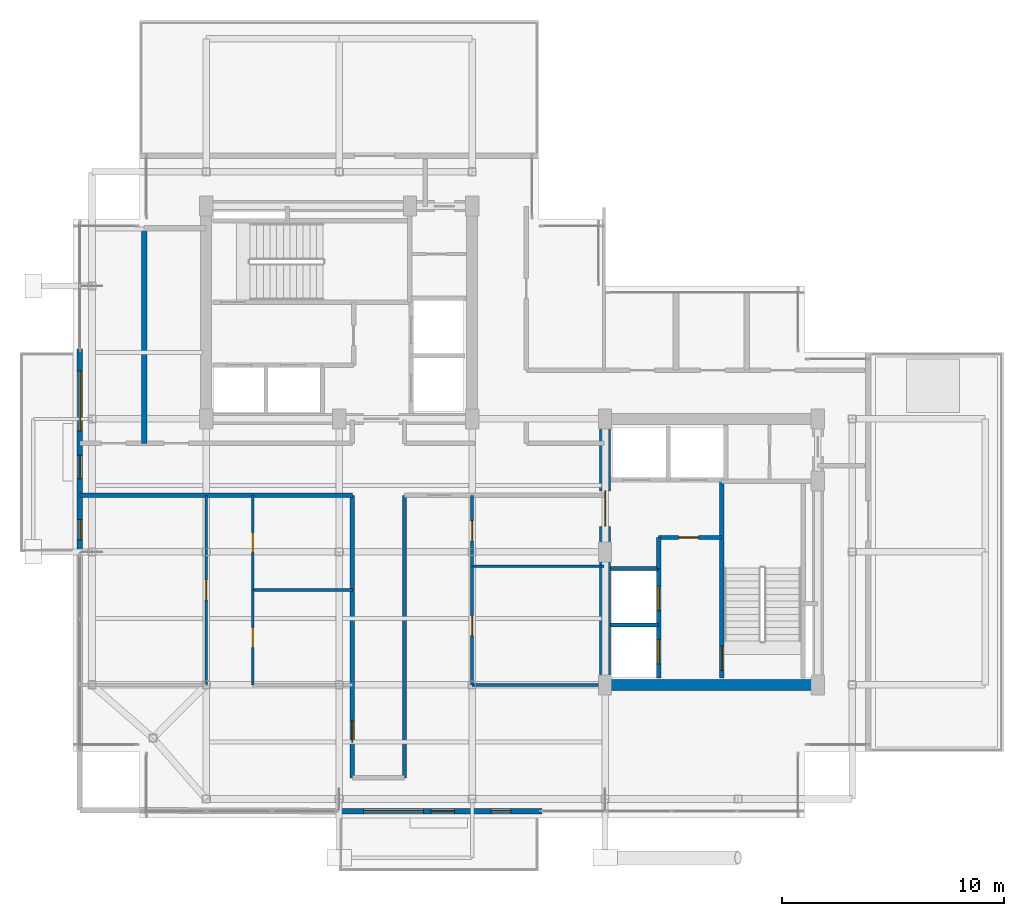
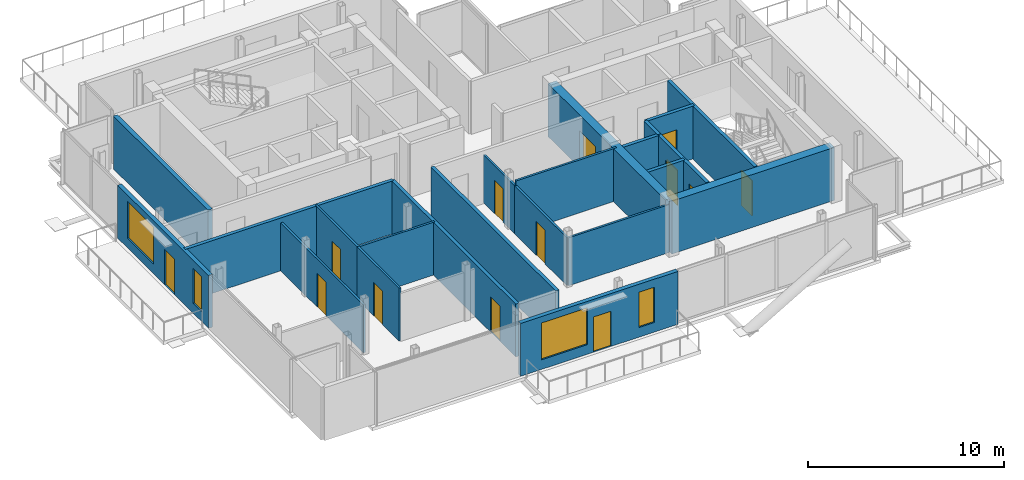
# One storey, part 14 of 19: 22 walls, 13 doors, 4 windows, 17 openings.
"""IFC4 building model written with IfcOpenShell, lengths in metres."""

from ifc_helpers import new_model, si_unit, direction, frame, frame_2d, origin, place, context, subcontext, project, spatial, rectangle, extrude, material, layer, layer_set, type_object, element, fill, save


model = new_model("IFC4")

# Units and contexts
model_context = context("Model", 3, precision=1e-05, world=origin(), true_north=direction((0.0, 1.0)))
body_context = subcontext(model_context, "Body", "Model", "MODEL_VIEW")
ifc_project = project(units=[si_unit("LENGTHUNIT", "METRE"), si_unit("AREAUNIT", "SQUARE_METRE"), si_unit("VOLUMEUNIT", "CUBIC_METRE"), si_unit("PLANEANGLEUNIT", "RADIAN"), si_unit("MASSUNIT", "GRAM", prefix="KILO"), si_unit("THERMODYNAMICTEMPERATUREUNIT", "KELVIN"), si_unit("POWERUNIT", "WATT")], contexts=[model_context])

# Site, building, storey
site_placement = place(None, origin())
site = spatial("IfcSite", under=ifc_project, at=site_placement, CompositionType="ELEMENT")
building_placement = place(site_placement, origin())
building = spatial("IfcBuilding", under=site, at=building_placement, Name="Svarakhadi Broadcast Tower", CompositionType="ELEMENT")
storey_placement = place(building_placement, frame((0.0, 0.0, 239.699951171875)))
storey = spatial("IfcBuildingStorey", under=building, at=storey_placement, Name="L59", CompositionType="ELEMENT", Elevation=239.699951171875)

# Wall, opening, door
ifc_material_1 = material(Name="Double-Stud Acoustic Studio Partition STC-62", Category="gypsum")
ifc_layer_1 = layer(ifc_material_1, 0.199951171875)
ifc_layer_set_1 = layer_set([ifc_layer_1], Name="Double-Stud Acoustic Studio Partition STC-62")
wall_type_1 = type_object("IfcWallType", Name="Wall_Acoust_200", PredefinedType="PARTITIONING", material=ifc_layer_set_1)
wall_1_placement = place(storey_placement, frame((12.60009765625, 1.800048828125, 0.0), z_axis=(0.0, 0.0, 1.0), x_axis=(0.0, 1.0, 0.0)))
wall_1 = element("IfcWall", 1, at=wall_1_placement, inside=storey, type_object=wall_type_1, Name="L59 Upper Tower Concourse Wall", PredefinedType="PARTITIONING", context=body_context, shape_type="SweptSolid", body=[
    extrude(rectangle(XDim=12.75, YDim=0.199951171875, at=frame_2d((6.375, 0.0))), origin(), (0.0, 0.0, 1.0), 3.300048828125),
])
opening_1_placement = place(wall_1_placement, frame((1.60009765625, 0.0, 0.0)))
opening_1 = element("IfcOpeningElement", 2, at=opening_1_placement, cuts=wall_1, Name="Opening D-08", PredefinedType="OPENING", context=body_context, shape_type="SweptSolid", body=[
    extrude(rectangle(XDim=1.0, YDim=2.199951171875, at=frame_2d((0.5, 1.10009765625))), frame((0.0, 0.10986328125, 0.0), z_axis=(0.0, -1.0, 0.0), x_axis=(1.0, 0.0, 0.0)), (0.0, 0.0, 1.0), 0.219970703125),
])
ifc_material_2 = material(Name="Solid-Core Teak Veneer Acoustic Timber Leaf", Category="wood")
door_type_1 = type_object("IfcDoorType", Name="Door_Suite_D08", OperationType="SINGLE_SWING_LEFT", PredefinedType="DOOR", material=ifc_material_2)
door_1_placement = place(opening_1_placement, origin())
door_1 = element("IfcDoor", 3, at=door_1_placement, inside=storey, type_object=door_type_1, Name="L59 Apartment A Entrance Door", OperationType="SINGLE_SWING_LEFT", OverallHeight=2.199951171875, OverallWidth=1.0, PredefinedType="DOOR", context=body_context, shape_type="SweptSolid", body=[
    extrude(rectangle(XDim=1.0, YDim=2.199951171875, at=frame_2d((0.5, 1.10009765625))), frame((0.0, 0.02490234375, 0.0), z_axis=(0.0, -1.0, 0.0), x_axis=(1.0, 0.0, 0.0)), (0.0, 0.0, 1.0), 0.050048828125),
])
fill(opening_1, door_1)

# Walls
wall_2_placement = place(storey_placement, frame((12.60009765625, 14.550048828125, 0.0), z_axis=(0.0, 0.0, 1.0), x_axis=(-1.0, 0.0, 0.0)))
element("IfcWall", 4, at=wall_2_placement, inside=storey, type_object=wall_type_1, Name="L59 Upper Tower Concourse Wall", PredefinedType="PARTITIONING", context=body_context, shape_type="SweptSolid", body=[
    extrude(rectangle(XDim=12.300048828125, YDim=0.199951171875, at=frame_2d((6.14990234375, 0.0))), origin(), (0.0, 0.0, 1.0), 3.300048828125),
])
wall_3_placement = place(storey_placement, frame((14.949951171875, 14.550048828125, 0.0), z_axis=(0.0, 0.0, 1.0), x_axis=(0.0, -1.0, 0.0)))
element("IfcWall", 5, at=wall_3_placement, inside=storey, type_object=wall_type_1, Name="L59 Upper Tower Concourse Wall", PredefinedType="PARTITIONING", context=body_context, shape_type="SweptSolid", body=[
    extrude(rectangle(XDim=12.75, YDim=0.199951171875, at=frame_2d((6.375, 0.0))), origin(), (0.0, 0.0, 1.0), 3.300048828125),
])
ifc_layer_2 = layer(ifc_material_1, 0.25)
ifc_layer_set_2 = layer_set([ifc_layer_2], Name="Double-Stud Acoustic Studio Partition STC-62")
wall_type_2 = type_object("IfcWallType", Name="Wall_Acoust_250", PredefinedType="PARTITIONING", material=ifc_layer_set_2)
wall_4_placement = place(storey_placement, frame((3.199951171875, 16.89990234375, 0.0), z_axis=(0.0, 0.0, 1.0), x_axis=(0.0, 1.0, 0.0)))
element("IfcWall", 6, at=wall_4_placement, inside=storey, type_object=wall_type_2, Name="L59 Setback Garden Residents Lounge Wall", PredefinedType="PARTITIONING", context=body_context, shape_type="SweptSolid", body=[
    extrude(rectangle(XDim=9.7001953125, YDim=0.25, at=frame_2d((4.85009765625, 0.0))), origin(), (0.0, 0.0, 1.0), 3.300048828125),
])

# Wall, openings, door, windows
ifc_material_3 = material(Name="Concrete C40/50 (IS 456 M50)", Category="concrete")
ifc_layer_3 = layer(ifc_material_3, 0.239990234375)
ifc_layer_set_3 = layer_set([ifc_layer_3], Name="Concrete C40/50 (IS 456 M50)")
wall_type_3 = type_object("IfcWallType", Name="Wall_Ext_240", PredefinedType="SOLIDWALL", material=ifc_layer_set_3)
wall_5_placement = place(storey_placement, frame((21.14501953125, 0.300048828125, 0.0), z_axis=(0.0, 0.0, 1.0), x_axis=(-1.0, 0.0, 0.0)))
wall_5 = element("IfcWall", 7, at=wall_5_placement, inside=storey, type_object=wall_type_3, Name="L59 South Tree Balcony Spandrel Wall", PredefinedType="SOLIDWALL", context=body_context, shape_type="SweptSolid", body=[
    extrude(rectangle(XDim=9.2900390625, YDim=0.239990234375, at=frame_2d((4.64501953125, 0.0))), origin(), (0.0, 0.0, 1.0), 3.300048828125),
])
opening_2_placement = place(wall_5_placement, frame((3.945068359375, 0.0, 0.0)))
opening_2 = element("IfcOpeningElement", 8, at=opening_2_placement, cuts=wall_5, Name="Opening ED-05", PredefinedType="OPENING", context=body_context, shape_type="SweptSolid", body=[
    extrude(rectangle(XDim=1.050048828125, YDim=2.199951171875, at=frame_2d((0.52490234375, 1.10009765625))), frame((0.0, 0.1298828125, 0.0), z_axis=(0.0, -1.0, 0.0), x_axis=(1.0, 0.0, 0.0)), (0.0, 0.0, 1.0), 0.260009765625),
])
opening_3_placement = place(wall_5_placement, frame((5.344970703125, 0.0, 0.60009765625)))
opening_3 = element("IfcOpeningElement", 9, at=opening_3_placement, cuts=wall_5, Name="Opening WN-07", PredefinedType="OPENING", context=body_context, shape_type="SweptSolid", body=[
    extrude(rectangle(XDim=2.699951171875, YDim=2.300048828125, at=frame_2d((1.35009765625, 1.14990234375))), frame((0.0, 0.1298828125, 0.0), z_axis=(0.0, -1.0, 0.0), x_axis=(1.0, 0.0, 0.0)), (0.0, 0.0, 1.0), 0.260009765625),
])
opening_4_placement = place(wall_5_placement, frame((1.39990234375, 0.0, 0.60009765625)))
opening_4 = element("IfcOpeningElement", 10, at=opening_4_placement, cuts=wall_5, Name="Opening WN-04", PredefinedType="OPENING", context=body_context, shape_type="SweptSolid", body=[
    extrude(rectangle(XDim=0.89990234375, YDim=2.199951171875, at=frame_2d((0.449951171875, 1.10009765625))), frame((0.0, 0.1298828125, 0.0), z_axis=(0.0, -1.0, 0.0), x_axis=(1.0, 0.0, 0.0)), (0.0, 0.0, 1.0), 0.260009765625),
])
ifc_material_4 = material(Name="Anodised Bronze Aluminium AA 6063-T6", Category="aluminium")
door_type_2 = type_object("IfcDoorType", Name="Door_Ext_ED05", OperationType="SINGLE_SWING_LEFT", PredefinedType="DOOR", material=ifc_material_4)
door_2_placement = place(opening_2_placement, origin())
door_2 = element("IfcDoor", 11, at=door_2_placement, inside=storey, type_object=door_type_2, Name="L59 South Tree Balcony Door", OperationType="SINGLE_SWING_LEFT", OverallHeight=2.199951171875, OverallWidth=1.050048828125, PredefinedType="DOOR", context=body_context, shape_type="SweptSolid", body=[
    extrude(rectangle(XDim=1.050048828125, YDim=2.199951171875, at=frame_2d((0.52490234375, 1.10009765625))), frame((0.0, 0.02490234375, 0.0), z_axis=(0.0, -1.0, 0.0), x_axis=(1.0, 0.0, 0.0)), (0.0, 0.0, 1.0), 0.050048828125),
])
fill(opening_2, door_2)
ifc_material_5 = material(Name="Double Low-E Laminated Acoustic Glass IGU 36 mm", Category="glass")
window_type_1 = type_object("IfcWindowType", Name="Win_Resi_WN07", PartitioningType="SINGLE_PANEL", PredefinedType="WINDOW", material=ifc_material_5)
window_1_placement = place(opening_3_placement, origin())
window_1 = element("IfcWindow", 12, at=window_1_placement, inside=storey, type_object=window_type_1, Name="L59 South Tree Balcony Window", OverallHeight=2.300048828125, OverallWidth=2.699951171875, PartitioningType="SINGLE_PANEL", PredefinedType="WINDOW", context=body_context, shape_type="SweptSolid", body=[
    extrude(rectangle(XDim=2.699951171875, YDim=2.300048828125, at=frame_2d((1.35009765625, 1.14990234375))), frame((0.0, 0.030029296875, 0.0), z_axis=(0.0, -1.0, 0.0), x_axis=(1.0, 0.0, 0.0)), (0.0, 0.0, 1.0), 0.06005859375),
])
fill(opening_3, window_1)
window_type_2 = type_object("IfcWindowType", Name="Win_Slot_WN04", PartitioningType="SINGLE_PANEL", PredefinedType="WINDOW", material=ifc_material_5)
window_2_placement = place(opening_4_placement, origin())
window_2 = element("IfcWindow", 13, at=window_2_placement, inside=storey, type_object=window_type_2, Name="L59 South Primary Bedroom Slot Window", OverallHeight=2.199951171875, OverallWidth=0.89990234375, PartitioningType="SINGLE_PANEL", PredefinedType="WINDOW", context=body_context, shape_type="SweptSolid", body=[
    extrude(rectangle(XDim=0.89990234375, YDim=2.199951171875, at=frame_2d((0.449951171875, 1.10009765625))), frame((0.0, 0.030029296875, 0.0), z_axis=(0.0, -1.0, 0.0), x_axis=(1.0, 0.0, 0.0)), (0.0, 0.0, 1.0), 0.06005859375),
])
fill(opening_4, window_2)

wall_6_placement = place(storey_placement, frame((0.300048828125, 11.85498046875, 0.0), z_axis=(0.0, 0.0, 1.0), x_axis=(0.0, 1.0, 0.0)))
wall_6 = element("IfcWall", 14, at=wall_6_placement, inside=storey, type_object=wall_type_3, Name="L59 West Tree Balcony Spandrel Wall", PredefinedType="SOLIDWALL", context=body_context, shape_type="SweptSolid", body=[
    extrude(rectangle(XDim=9.2900390625, YDim=0.239990234375, at=frame_2d((4.64501953125, 0.0))), origin(), (0.0, 0.0, 1.0), 3.300048828125),
])
opening_5_placement = place(wall_6_placement, frame((3.449951171875, 0.0, 0.0)))
opening_5 = element("IfcOpeningElement", 15, at=opening_5_placement, cuts=wall_6, Name="Opening ED-06", PredefinedType="OPENING", context=body_context, shape_type="SweptSolid", body=[
    extrude(rectangle(XDim=1.050048828125, YDim=2.199951171875, at=frame_2d((0.52490234375, 1.10009765625))), frame((0.0, 0.1298828125, 0.0), z_axis=(0.0, -1.0, 0.0), x_axis=(1.0, 0.0, 0.0)), (0.0, 0.0, 1.0), 0.260009765625),
])
opening_6_placement = place(wall_6_placement, frame((5.60009765625, 0.0, 0.60009765625)))
opening_6 = element("IfcOpeningElement", 16, at=opening_6_placement, cuts=wall_6, Name="Opening WN-07", PredefinedType="OPENING", context=body_context, shape_type="SweptSolid", body=[
    extrude(rectangle(XDim=2.699951171875, YDim=2.300048828125, at=frame_2d((1.35009765625, 1.14990234375))), frame((0.0, 0.1298828125, 0.0), z_axis=(0.0, -1.0, 0.0), x_axis=(1.0, 0.0, 0.0)), (0.0, 0.0, 1.0), 0.260009765625),
])
opening_7_placement = place(wall_6_placement, frame((0.699951171875, 0.0, 0.60009765625)))
opening_7 = element("IfcOpeningElement", 17, at=opening_7_placement, cuts=wall_6, Name="Opening WN-04", PredefinedType="OPENING", context=body_context, shape_type="SweptSolid", body=[
    extrude(rectangle(XDim=0.89990234375, YDim=2.199951171875, at=frame_2d((0.449951171875, 1.10009765625))), frame((0.0, 0.1298828125, 0.0), z_axis=(0.0, -1.0, 0.0), x_axis=(1.0, 0.0, 0.0)), (0.0, 0.0, 1.0), 0.260009765625),
])
door_type_3 = type_object("IfcDoorType", Name="Door_Ext_ED06", OperationType="SINGLE_SWING_RIGHT", PredefinedType="DOOR", material=ifc_material_4)
door_3_placement = place(opening_5_placement, origin())
door_3 = element("IfcDoor", 18, at=door_3_placement, inside=storey, type_object=door_type_3, Name="L59 West Tree Balcony Door", OperationType="SINGLE_SWING_RIGHT", OverallHeight=2.199951171875, OverallWidth=1.050048828125, PredefinedType="DOOR", context=body_context, shape_type="SweptSolid", body=[
    extrude(rectangle(XDim=1.050048828125, YDim=2.199951171875, at=frame_2d((0.52490234375, 1.10009765625))), frame((0.0, 0.02490234375, 0.0), z_axis=(0.0, -1.0, 0.0), x_axis=(1.0, 0.0, 0.0)), (0.0, 0.0, 1.0), 0.050048828125),
])
fill(opening_5, door_3)
window_3_placement = place(opening_6_placement, origin())
window_3 = element("IfcWindow", 19, at=window_3_placement, inside=storey, type_object=window_type_1, Name="L59 West Tree Balcony Window", OverallHeight=2.300048828125, OverallWidth=2.699951171875, PartitioningType="SINGLE_PANEL", PredefinedType="WINDOW", context=body_context, shape_type="SweptSolid", body=[
    extrude(rectangle(XDim=2.699951171875, YDim=2.300048828125, at=frame_2d((1.35009765625, 1.14990234375))), frame((0.0, 0.030029296875, 0.0), z_axis=(0.0, -1.0, 0.0), x_axis=(1.0, 0.0, 0.0)), (0.0, 0.0, 1.0), 0.06005859375),
])
fill(opening_6, window_3)
window_4_placement = place(opening_7_placement, origin())
window_4 = element("IfcWindow", 20, at=window_4_placement, inside=storey, type_object=window_type_2, Name="L59 West Secondary Bedroom Slot Window", OverallHeight=2.199951171875, OverallWidth=0.89990234375, PartitioningType="SINGLE_PANEL", PredefinedType="WINDOW", context=body_context, shape_type="SweptSolid", body=[
    extrude(rectangle(XDim=0.89990234375, YDim=2.199951171875, at=frame_2d((0.449951171875, 1.10009765625))), frame((0.0, 0.030029296875, 0.0), z_axis=(0.0, -1.0, 0.0), x_axis=(1.0, 0.0, 0.0)), (0.0, 0.0, 1.0), 0.06005859375),
])
fill(opening_7, window_4)

# Wall
ifc_material_6 = material(Name="Fire-Rated Moisture-Resistant Gypsum Board Partition", Category="gypsum")
ifc_layer_4 = layer(ifc_material_6, 0.125)
ifc_layer_set_4 = layer_set([ifc_layer_4], Name="Fire-Rated Moisture-Resistant Gypsum Board Partition")
wall_type_4 = type_object("IfcWallType", Name="Wall_Part_125", PredefinedType="PARTITIONING", material=ifc_layer_set_4)
wall_7_placement = place(storey_placement, frame((8.10009765625, 10.280029296875, 0.0), z_axis=(0.0, 0.0, 1.0), x_axis=(1.0, 0.0, 0.0)))
element("IfcWall", 21, at=wall_7_placement, inside=storey, type_object=wall_type_4, Name="L59 Apartment A Kitchen Wall", PredefinedType="PARTITIONING", context=body_context, shape_type="SweptSolid", body=[
    extrude(rectangle(XDim=4.5, YDim=0.125, at=frame_2d((2.25, 0.0))), origin(), (0.0, 0.0, 1.0), 3.300048828125),
])

# Wall, opening, door
wall_8_placement = place(storey_placement, frame((8.10009765625, 6.0, 0.0), z_axis=(0.0, 0.0, 1.0), x_axis=(0.0, 1.0, 0.0)))
wall_8 = element("IfcWall", 22, at=wall_8_placement, inside=storey, type_object=wall_type_4, Name="L59 Apartment A Kitchen Wall", PredefinedType="PARTITIONING", context=body_context, shape_type="SweptSolid", body=[
    extrude(rectangle(XDim=4.280029296875, YDim=0.125, at=frame_2d((2.14013671875, 0.0))), origin(), (0.0, 0.0, 1.0), 3.300048828125),
])
opening_8_placement = place(wall_8_placement, frame((1.68994140625, 0.0, 0.0)))
opening_8 = element("IfcOpeningElement", 23, at=opening_8_placement, cuts=wall_8, Name="Opening D-14", PredefinedType="OPENING", context=body_context, shape_type="SweptSolid", body=[
    extrude(rectangle(XDim=0.89990234375, YDim=2.10009765625, at=frame_2d((0.449951171875, 1.050048828125))), frame((0.0, 0.072509765625, 0.0), z_axis=(0.0, -1.0, 0.0), x_axis=(1.0, 0.0, 0.0)), (0.0, 0.0, 1.0), 0.14501953125),
])
door_type_4 = type_object("IfcDoorType", Name="Door_Int_D14", OperationType="SINGLE_SWING_LEFT", PredefinedType="DOOR", material=ifc_material_2)
door_4_placement = place(opening_8_placement, origin())
door_4 = element("IfcDoor", 24, at=door_4_placement, inside=storey, type_object=door_type_4, Name="L59 Apartment A Kitchen Door", OperationType="SINGLE_SWING_LEFT", OverallHeight=2.10009765625, OverallWidth=0.89990234375, PredefinedType="DOOR", context=body_context, shape_type="SweptSolid", body=[
    extrude(rectangle(XDim=0.89990234375, YDim=2.10009765625, at=frame_2d((0.449951171875, 1.050048828125))), frame((0.0, 0.02490234375, 0.0), z_axis=(0.0, -1.0, 0.0), x_axis=(1.0, 0.0, 0.0)), (0.0, 0.0, 1.0), 0.050048828125),
])
fill(opening_8, door_4)

wall_9_placement = place(storey_placement, frame((8.10009765625, 10.280029296875, 0.0), z_axis=(0.0, 0.0, 1.0), x_axis=(0.0, 1.0, 0.0)))
wall_9 = element("IfcWall", 25, at=wall_9_placement, inside=storey, type_object=wall_type_4, Name="L59 Apartment A Bathroom Wall", PredefinedType="PARTITIONING", context=body_context, shape_type="SweptSolid", body=[
    extrude(rectangle(XDim=4.27001953125, YDim=0.125, at=frame_2d((2.135009765625, 0.0))), origin(), (0.0, 0.0, 1.0), 3.300048828125),
])
opening_9_placement = place(wall_9_placement, frame((1.68505859375, 0.0, 0.0)))
opening_9 = element("IfcOpeningElement", 26, at=opening_9_placement, cuts=wall_9, Name="Opening D-13", PredefinedType="OPENING", context=body_context, shape_type="SweptSolid", body=[
    extrude(rectangle(XDim=0.89990234375, YDim=2.10009765625, at=frame_2d((0.449951171875, 1.050048828125))), frame((0.0, 0.072509765625, 0.0), z_axis=(0.0, -1.0, 0.0), x_axis=(1.0, 0.0, 0.0)), (0.0, 0.0, 1.0), 0.14501953125),
])
door_type_5 = type_object("IfcDoorType", Name="Door_Closet_D13", OperationType="SINGLE_SWING_RIGHT", PredefinedType="DOOR", material=ifc_material_2)
door_5_placement = place(opening_9_placement, origin())
door_5 = element("IfcDoor", 27, at=door_5_placement, inside=storey, type_object=door_type_5, Name="L59 Apartment A Bathroom Door", OperationType="SINGLE_SWING_RIGHT", OverallHeight=2.10009765625, OverallWidth=0.89990234375, PredefinedType="DOOR", context=body_context, shape_type="SweptSolid", body=[
    extrude(rectangle(XDim=0.89990234375, YDim=2.10009765625, at=frame_2d((0.449951171875, 1.050048828125))), frame((0.0, 0.02490234375, 0.0), z_axis=(0.0, -1.0, 0.0), x_axis=(1.0, 0.0, 0.0)), (0.0, 0.0, 1.0), 0.050048828125),
])
fill(opening_9, door_5)

wall_10_placement = place(storey_placement, frame((6.0, 6.0, 0.0), z_axis=(0.0, 0.0, 1.0), x_axis=(0.0, 1.0, 0.0)))
wall_10 = element("IfcWall", 28, at=wall_10_placement, inside=storey, type_object=wall_type_4, Name="L59 Apartment A Primary Bedroom Wall", PredefinedType="PARTITIONING", context=body_context, shape_type="SweptSolid", body=[
    extrude(rectangle(XDim=8.550048828125, YDim=0.125, at=frame_2d((4.27490234375, 0.0))), origin(), (0.0, 0.0, 1.0), 2.991943359375),
])
opening_10_placement = place(wall_10_placement, frame((3.824951171875, 0.0, 0.0)))
opening_10 = element("IfcOpeningElement", 29, at=opening_10_placement, cuts=wall_10, Name="Opening D-14", PredefinedType="OPENING", context=body_context, shape_type="SweptSolid", body=[
    extrude(rectangle(XDim=0.89990234375, YDim=2.10009765625, at=frame_2d((0.449951171875, 1.050048828125))), frame((0.0, 0.072509765625, 0.0), z_axis=(0.0, -1.0, 0.0), x_axis=(1.0, 0.0, 0.0)), (0.0, 0.0, 1.0), 0.14501953125),
])
door_6_placement = place(opening_10_placement, origin())
door_6 = element("IfcDoor", 30, at=door_6_placement, inside=storey, type_object=door_type_4, Name="L59 Apartment A Bedroom Door", OperationType="SINGLE_SWING_LEFT", OverallHeight=2.10009765625, OverallWidth=0.89990234375, PredefinedType="DOOR", context=body_context, shape_type="SweptSolid", body=[
    extrude(rectangle(XDim=0.89990234375, YDim=2.10009765625, at=frame_2d((0.449951171875, 1.050048828125))), frame((0.0, 0.02490234375, 0.0), z_axis=(0.0, -1.0, 0.0), x_axis=(1.0, 0.0, 0.0)), (0.0, 0.0, 1.0), 0.050048828125),
])
fill(opening_10, door_6)

# Walls
wall_11_placement = place(storey_placement, frame((18.0, 6.0, 0.0), z_axis=(0.0, 0.0, 1.0), x_axis=(1.0, 0.0, 0.0)))
element("IfcWall", 31, at=wall_11_placement, inside=storey, type_object=wall_type_4, Name="L59 Studio B Kitchen Wall", PredefinedType="PARTITIONING", context=body_context, shape_type="SweptSolid", body=[
    extrude(rectangle(XDim=5.949951171875, YDim=0.125, at=frame_2d((2.97509765625, 0.0))), origin(), (0.0, 0.0, 1.0), 2.991943359375),
])
wall_12_placement = place(storey_placement, frame((18.0, 11.35009765625, 0.0), z_axis=(0.0, 0.0, 1.0), x_axis=(1.0, 0.0, 0.0)))
element("IfcWall", 32, at=wall_12_placement, inside=storey, type_object=wall_type_4, Name="L59 Studio B Kitchen Wall", PredefinedType="PARTITIONING", context=body_context, shape_type="SweptSolid", body=[
    extrude(rectangle(XDim=5.949951171875, YDim=0.125, at=frame_2d((2.97509765625, 0.0))), origin(), (0.0, 0.0, 1.0), 3.300048828125),
])

# Wall, opening, door
wall_13_placement = place(storey_placement, frame((18.0, 6.0, 0.0), z_axis=(0.0, 0.0, 1.0), x_axis=(0.0, 1.0, 0.0)))
wall_13 = element("IfcWall", 33, at=wall_13_placement, inside=storey, type_object=wall_type_4, Name="L59 Studio B Kitchen Wall", PredefinedType="PARTITIONING", context=body_context, shape_type="SweptSolid", body=[
    extrude(rectangle(XDim=5.35009765625, YDim=0.125, at=frame_2d((2.675048828125, 0.0))), origin(), (0.0, 0.0, 1.0), 2.991943359375),
])
opening_11_placement = place(wall_13_placement, frame((2.22509765625, 0.0, 0.0)))
opening_11 = element("IfcOpeningElement", 34, at=opening_11_placement, cuts=wall_13, Name="Opening D-15", PredefinedType="OPENING", context=body_context, shape_type="SweptSolid", body=[
    extrude(rectangle(XDim=0.89990234375, YDim=2.10009765625, at=frame_2d((0.449951171875, 1.050048828125))), frame((0.0, 0.072509765625, 0.0), z_axis=(0.0, -1.0, 0.0), x_axis=(1.0, 0.0, 0.0)), (0.0, 0.0, 1.0), 0.14501953125),
])
door_type_6 = type_object("IfcDoorType", Name="Door_Int_D15", OperationType="SINGLE_SWING_RIGHT", PredefinedType="DOOR", material=ifc_material_2)
door_7_placement = place(opening_11_placement, origin())
door_7 = element("IfcDoor", 35, at=door_7_placement, inside=storey, type_object=door_type_6, Name="L59 Studio B Kitchen Door", OperationType="SINGLE_SWING_RIGHT", OverallHeight=2.10009765625, OverallWidth=0.89990234375, PredefinedType="DOOR", context=body_context, shape_type="SweptSolid", body=[
    extrude(rectangle(XDim=0.89990234375, YDim=2.10009765625, at=frame_2d((0.449951171875, 1.050048828125))), frame((0.0, 0.02490234375, 0.0), z_axis=(0.0, -1.0, 0.0), x_axis=(1.0, 0.0, 0.0)), (0.0, 0.0, 1.0), 0.050048828125),
])
fill(opening_11, door_7)

wall_14_placement = place(storey_placement, frame((18.0, 11.35009765625, 0.0), z_axis=(0.0, 0.0, 1.0), x_axis=(0.0, 1.0, 0.0)))
wall_14 = element("IfcWall", 36, at=wall_14_placement, inside=storey, type_object=wall_type_4, Name="L59 Studio B Bathroom Wall", PredefinedType="PARTITIONING", context=body_context, shape_type="SweptSolid", body=[
    extrude(rectangle(XDim=3.199951171875, YDim=0.125, at=frame_2d((1.60009765625, 0.0))), origin(), (0.0, 0.0, 1.0), 2.991943359375),
])
opening_12_placement = place(wall_14_placement, frame((1.14990234375, 0.0, 0.0)))
opening_12 = element("IfcOpeningElement", 37, at=opening_12_placement, cuts=wall_14, Name="Opening D-13", PredefinedType="OPENING", context=body_context, shape_type="SweptSolid", body=[
    extrude(rectangle(XDim=0.89990234375, YDim=2.10009765625, at=frame_2d((0.449951171875, 1.050048828125))), frame((0.0, 0.072509765625, 0.0), z_axis=(0.0, -1.0, 0.0), x_axis=(1.0, 0.0, 0.0)), (0.0, 0.0, 1.0), 0.14501953125),
])
door_8_placement = place(opening_12_placement, origin())
door_8 = element("IfcDoor", 38, at=door_8_placement, inside=storey, type_object=door_type_5, Name="L59 Studio B Bathroom Door", OperationType="SINGLE_SWING_RIGHT", OverallHeight=2.10009765625, OverallWidth=0.89990234375, PredefinedType="DOOR", context=body_context, shape_type="SweptSolid", body=[
    extrude(rectangle(XDim=0.89990234375, YDim=2.10009765625, at=frame_2d((0.449951171875, 1.050048828125))), frame((0.0, 0.02490234375, 0.0), z_axis=(0.0, -1.0, 0.0), x_axis=(1.0, 0.0, 0.0)), (0.0, 0.0, 1.0), 0.050048828125),
])
fill(opening_12, door_8)

ifc_material_7 = material(Name="Concrete C50/60 (IS 456 M60)", Category="concrete")
ifc_layer_5 = layer(ifc_material_7, 0.199951171875)
ifc_layer_set_5 = layer_set([ifc_layer_5], Name="Concrete C50/60 (IS 456 M60)")
wall_type_5 = type_object("IfcWallType", Name="Wall_Shear_200", PredefinedType="SHEAR", material=ifc_layer_set_5)
wall_15_placement = place(storey_placement, frame((29.260009765625, 6.300048828125, 0.0), z_axis=(0.0, 0.0, 1.0), x_axis=(0.0, 1.0, 0.0)))
wall_15 = element("IfcWall", 39, at=wall_15_placement, inside=storey, type_object=wall_type_5, Name="L59 Stair ST-02 West RC Shaft Wall", PredefinedType="SHEAR", context=body_context, shape_type="SweptSolid", body=[
    extrude(rectangle(XDim=8.8798828125, YDim=0.199951171875, at=frame_2d((4.43994140625, 0.0))), origin(), (0.0, 0.0, 1.0), 3.300048828125),
])
opening_13_placement = place(wall_15_placement, frame((0.35009765625, 0.0, 0.0)))
opening_13 = element("IfcOpeningElement", 40, at=opening_13_placement, cuts=wall_15, Name="Opening D-02", PredefinedType="OPENING", context=body_context, shape_type="SweptSolid", body=[
    extrude(rectangle(XDim=1.10009765625, YDim=2.199951171875, at=frame_2d((0.550048828125, 1.10009765625))), frame((0.0, 0.10986328125, 0.0), z_axis=(0.0, -1.0, 0.0), x_axis=(1.0, 0.0, 0.0)), (0.0, 0.0, 1.0), 0.219970703125),
])
ifc_material_8 = material(Name="Galvanised Powder-Coated Fire-Rated Steel Leaf", Category="steel")
door_type_7 = type_object("IfcDoorType", Name="Door_Stair_D02", OperationType="SINGLE_SWING_RIGHT", PredefinedType="DOOR", material=ifc_material_8)
door_9_placement = place(opening_13_placement, origin())
door_9 = element("IfcDoor", 41, at=door_9_placement, inside=storey, type_object=door_type_7, Name="L59 Protected Exit Stair ST-02 Fire Door", OperationType="SINGLE_SWING_RIGHT", OverallHeight=2.199951171875, OverallWidth=1.10009765625, PredefinedType="DOOR", context=body_context, shape_type="SweptSolid", body=[
    extrude(rectangle(XDim=1.10009765625, YDim=2.199951171875, at=frame_2d((0.550048828125, 1.10009765625))), frame((0.0, 0.02490234375, 0.0), z_axis=(0.0, -1.0, 0.0), x_axis=(1.0, 0.0, 0.0)), (0.0, 0.0, 1.0), 0.050048828125),
])
fill(opening_13, door_9)

# Wall, openings, doors
wall_16_placement = place(storey_placement, frame((26.419921875, 6.300048828125, 0.0), z_axis=(0.0, 0.0, 1.0), x_axis=(0.0, 1.0, 0.0)))
wall_16 = element("IfcWall", 42, at=wall_16_placement, inside=storey, type_object=wall_type_5, Name="L59 Firefighting Lift LF-03/04 Shaft Wall", PredefinedType="SHEAR", context=body_context, shape_type="SweptSolid", body=[
    extrude(rectangle(XDim=4.949951171875, YDim=0.199951171875, at=frame_2d((2.47509765625, 0.0))), origin(), (0.0, 0.0, 1.0), 3.300048828125),
])
opening_14_placement = place(wall_16_placement, frame((0.64990234375, 0.0, 0.0)))
opening_14 = element("IfcOpeningElement", 43, at=opening_14_placement, cuts=wall_16, Name="Opening LD-01", PredefinedType="OPENING", context=body_context, shape_type="SweptSolid", body=[
    extrude(rectangle(XDim=1.10009765625, YDim=2.199951171875, at=frame_2d((0.550048828125, 1.10009765625))), frame((0.0, 0.10986328125, 0.0), z_axis=(0.0, -1.0, 0.0), x_axis=(1.0, 0.0, 0.0)), (0.0, 0.0, 1.0), 0.219970703125),
])
opening_15_placement = place(wall_16_placement, frame((3.050048828125, 0.0, 0.0)))
opening_15 = element("IfcOpeningElement", 44, at=opening_15_placement, cuts=wall_16, Name="Opening LD-01", PredefinedType="OPENING", context=body_context, shape_type="SweptSolid", body=[
    extrude(rectangle(XDim=1.10009765625, YDim=2.199951171875, at=frame_2d((0.550048828125, 1.10009765625))), frame((0.0, 0.10986328125, 0.0), z_axis=(0.0, -1.0, 0.0), x_axis=(1.0, 0.0, 0.0)), (0.0, 0.0, 1.0), 0.219970703125),
])
door_type_8 = type_object("IfcDoorType", Name="Door_Lift_LD01", OperationType="SLIDING_TO_LEFT", PredefinedType="DOOR", material=ifc_material_8)
door_10_placement = place(opening_14_placement, origin())
door_10 = element("IfcDoor", 45, at=door_10_placement, inside=storey, type_object=door_type_8, Name="L59 Firefighting Lift LF-03 Landing Door", OperationType="SLIDING_TO_LEFT", OverallHeight=2.199951171875, OverallWidth=1.10009765625, PredefinedType="DOOR", context=body_context, shape_type="SweptSolid", body=[
    extrude(rectangle(XDim=1.10009765625, YDim=2.199951171875, at=frame_2d((0.550048828125, 1.10009765625))), frame((0.0, 0.02490234375, 0.0), z_axis=(0.0, -1.0, 0.0), x_axis=(1.0, 0.0, 0.0)), (0.0, 0.0, 1.0), 0.050048828125),
])
fill(opening_14, door_10)
door_11_placement = place(opening_15_placement, origin())
door_11 = element("IfcDoor", 46, at=door_11_placement, inside=storey, type_object=door_type_8, Name="L59 Firefighting Lift LF-04 Landing Door", OperationType="SLIDING_TO_LEFT", OverallHeight=2.199951171875, OverallWidth=1.10009765625, PredefinedType="DOOR", context=body_context, shape_type="SweptSolid", body=[
    extrude(rectangle(XDim=1.10009765625, YDim=2.199951171875, at=frame_2d((0.550048828125, 1.10009765625))), frame((0.0, 0.02490234375, 0.0), z_axis=(0.0, -1.0, 0.0), x_axis=(1.0, 0.0, 0.0)), (0.0, 0.0, 1.0), 0.050048828125),
])
fill(opening_15, door_11)

# Walls
for number, where, z_axis, x_axis, name in (
    (47, (24.25, 8.699951171875, 0.0), (0.0, 0.0, 1.0), (1.0, 0.0, 0.0), "L59 Firefighting Lift LF-03/04 Divider Wall"),
    (48, (24.25, 11.25, 0.0), (0.0, 0.0, 1.0), (1.0, 0.0, 0.0), "L59 Firefighting Lift LF-04 North Wall"),
):
    element("IfcWall", number, at=place(storey_placement, frame(where, z_axis=z_axis, x_axis=x_axis)), inside=storey, type_object=wall_type_5, Name=name, PredefinedType="SHEAR", context=body_context, shape_type="SweptSolid", body=[
        extrude(rectangle(XDim=2.169921875, YDim=0.199951171875, at=frame_2d((1.0849609375, 0.0))), origin(), (0.0, 0.0, 1.0), 3.300048828125),
    ])
wall_17_placement = place(storey_placement, frame((26.419921875, 11.25, 0.0), z_axis=(0.0, 0.0, 1.0), x_axis=(0.0, 1.0, 0.0)))
element("IfcWall", 49, at=wall_17_placement, inside=storey, type_object=wall_type_5, Name="L59 East Firefighting Lobby West Wall", PredefinedType="SHEAR", context=body_context, shape_type="SweptSolid", body=[
    extrude(rectangle(XDim=1.39990234375, YDim=0.199951171875, at=frame_2d((0.699951171875, 0.0))), origin(), (0.0, 0.0, 1.0), 3.300048828125),
])

# Wall, opening, door
wall_18_placement = place(storey_placement, frame((26.419921875, 12.64990234375, 0.0), z_axis=(0.0, 0.0, 1.0), x_axis=(1.0, 0.0, 0.0)))
wall_18 = element("IfcWall", 50, at=wall_18_placement, inside=storey, type_object=wall_type_5, Name="L59 East Firefighting Lobby North Wall", PredefinedType="SHEAR", context=body_context, shape_type="SweptSolid", body=[
    extrude(rectangle(XDim=2.840087890625, YDim=0.199951171875, at=frame_2d((1.419921875, 0.0))), origin(), (0.0, 0.0, 1.0), 3.300048828125),
])
opening_16_placement = place(wall_18_placement, frame((0.89990234375, 0.0, 0.0)))
opening_16 = element("IfcOpeningElement", 51, at=opening_16_placement, cuts=wall_18, Name="Opening D-04", PredefinedType="OPENING", context=body_context, shape_type="SweptSolid", body=[
    extrude(rectangle(XDim=0.89990234375, YDim=2.14990234375, at=frame_2d((0.449951171875, 1.074951171875))), frame((0.0, 0.10986328125, 0.0), z_axis=(0.0, -1.0, 0.0), x_axis=(1.0, 0.0, 0.0)), (0.0, 0.0, 1.0), 0.219970703125),
])
door_type_9 = type_object("IfcDoorType", Name="Door_Fire_D04", OperationType="SINGLE_SWING_RIGHT", PredefinedType="DOOR", material=ifc_material_8)
door_12_placement = place(opening_16_placement, origin())
door_12 = element("IfcDoor", 52, at=door_12_placement, inside=storey, type_object=door_type_9, Name="L59 East Firefighting Lobby Fire Door", OperationType="SINGLE_SWING_RIGHT", OverallHeight=2.14990234375, OverallWidth=0.89990234375, PredefinedType="DOOR", context=body_context, shape_type="SweptSolid", body=[
    extrude(rectangle(XDim=0.89990234375, YDim=2.14990234375, at=frame_2d((0.449951171875, 1.074951171875))), frame((0.0, 0.02490234375, 0.0), z_axis=(0.0, -1.0, 0.0), x_axis=(1.0, 0.0, 0.0)), (0.0, 0.0, 1.0), 0.050048828125),
])
fill(opening_16, door_12)

# Wall
ifc_layer_6 = layer(ifc_material_7, 0.5)
ifc_layer_set_6 = layer_set([ifc_layer_6], Name="Concrete C50/60 (IS 456 M60)")
wall_type_6 = type_object("IfcWallType", Name="Wall_Shear_500", PredefinedType="SHEAR", material=ifc_layer_set_6)
wall_19_placement = place(storey_placement, frame((24.0, 6.0, 0.0), z_axis=(0.0, 0.0, 1.0), x_axis=(1.0, 0.0, 0.0)))
element("IfcWall", 53, at=wall_19_placement, inside=storey, type_object=wall_type_6, Name="L59 East Core South Shear Wall", PredefinedType="SHEAR", context=body_context, shape_type="SweptSolid", body=[
    extrude(rectangle(XDim=9.60009765625, YDim=0.5, at=frame_2d((4.800048828125, 0.0))), origin(), (0.0, 0.0, 1.0), 3.300048828125),
])

# Wall, opening, door
wall_20_placement = place(storey_placement, frame((24.0, 6.0, 0.0), z_axis=(0.0, 0.0, 1.0), x_axis=(0.0, 1.0, 0.0)))
wall_20 = element("IfcWall", 54, at=wall_20_placement, inside=storey, type_object=wall_type_6, Name="L59 East Core West Shear Wall", PredefinedType="SHEAR", context=body_context, shape_type="SweptSolid", body=[
    extrude(rectangle(XDim=12.0, YDim=0.5, at=frame_2d((6.0, 0.0))), origin(), (0.0, 0.0, 1.0), 3.300048828125),
])
opening_17_placement = place(wall_20_placement, frame((7.14990234375, 0.0, 0.0)))
opening_17 = element("IfcOpeningElement", 55, at=opening_17_placement, cuts=wall_20, Name="Opening D-05", PredefinedType="OPENING", context=body_context, shape_type="SweptSolid", body=[
    extrude(rectangle(XDim=1.60009765625, YDim=2.300048828125, at=frame_2d((0.800048828125, 1.14990234375))), frame((0.0, 0.260009765625, 0.0), z_axis=(0.0, -1.0, 0.0), x_axis=(1.0, 0.0, 0.0)), (0.0, 0.0, 1.0), 0.52001953125),
])
door_type_10 = type_object("IfcDoorType", Name="Door_Lobby_D05", OperationType="DOUBLE_DOOR_SLIDING", PredefinedType="DOOR", material=ifc_material_4)
door_13_placement = place(opening_17_placement, origin())
door_13 = element("IfcDoor", 56, at=door_13_placement, inside=storey, type_object=door_type_10, Name="L59 East Core Passenger Lift Lobby Entrance Door", OperationType="DOUBLE_DOOR_SLIDING", OverallHeight=2.300048828125, OverallWidth=1.60009765625, PredefinedType="DOOR", context=body_context, shape_type="SweptSolid", body=[
    extrude(rectangle(XDim=1.60009765625, YDim=2.300048828125, at=frame_2d((0.800048828125, 1.14990234375))), frame((0.0, 0.02490234375, 0.0), z_axis=(0.0, -1.0, 0.0), x_axis=(1.0, 0.0, 0.0)), (0.0, 0.0, 1.0), 0.050048828125),
])
fill(opening_17, door_13)

save(model, "model.ifc")
